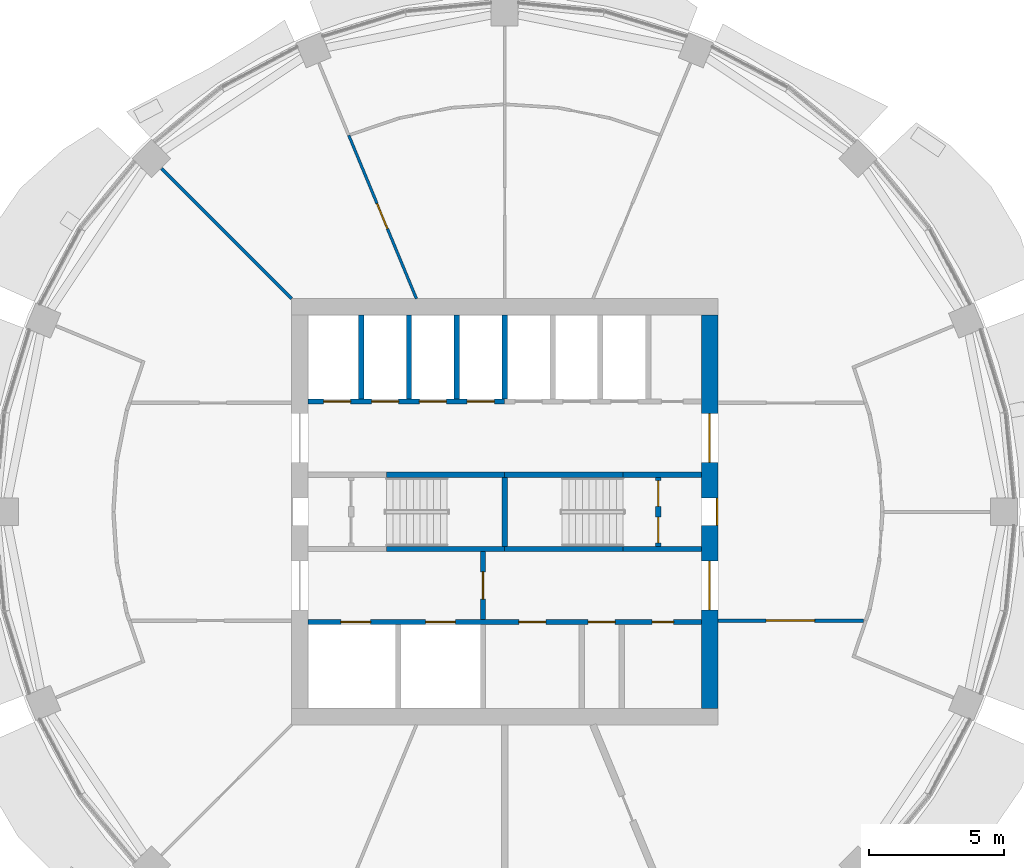
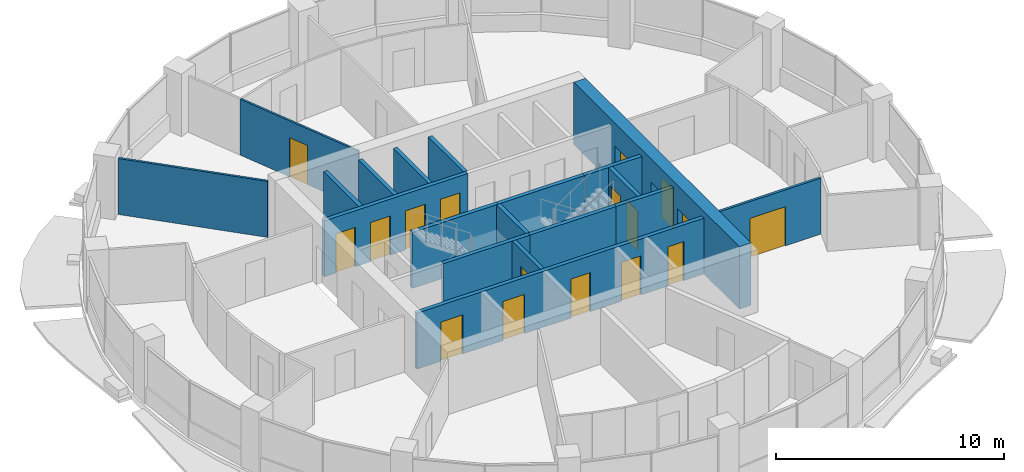
# One storey, part 9 of 15: 19 walls, 17 doors, 17 openings.
"""IFC4 building model written with IfcOpenShell, lengths in metres."""

from ifc_helpers import new_model, si_unit, direction, frame, frame_2d, origin, place, context, subcontext, project, spatial, rectangle, extrude, material, layer, layer_set, type_object, element, fill, save


model = new_model("IFC4")

# Units and contexts
model_context = context("Model", 3, precision=1e-05, world=origin(), true_north=direction((0.0, 1.0)))
body_context = subcontext(model_context, "Body", "Model", "MODEL_VIEW")
ifc_project = project(units=[si_unit("LENGTHUNIT", "METRE"), si_unit("AREAUNIT", "SQUARE_METRE"), si_unit("VOLUMEUNIT", "CUBIC_METRE"), si_unit("PLANEANGLEUNIT", "RADIAN"), si_unit("MASSUNIT", "GRAM", prefix="KILO")], contexts=[model_context])

# Site, building, storey
site_placement = place(None, origin())
site = spatial("IfcSite", under=ifc_project, at=site_placement, CompositionType="ELEMENT")
building_placement = place(site_placement, origin())
building = spatial("IfcBuilding", under=site, at=building_placement, Name="Polderwave Tower", CompositionType="ELEMENT")
storey_placement = place(building_placement, frame((0.0, 0.0, 127.64990234375)))
storey = spatial("IfcBuildingStorey", under=building, at=storey_placement, Name="L33", CompositionType="ELEMENT", Elevation=127.64990234375)

# Wall, openings, doors
ifc_material_1 = material(Name="Concrete C60/75", Category="concrete")
ifc_layer_1 = layer(ifc_material_1, 0.60009765625)
ifc_layer_set_1 = layer_set([ifc_layer_1], Name="CORE WALL 600 C60/75")
wall_type_1 = type_object("IfcWallType", Name="CORE WALL 600 C60/75", PredefinedType="SHEAR", material=ifc_layer_set_1)
wall_1_placement = place(storey_placement, frame((7.573974609375, -7.27392578125, 0.0), z_axis=(0.0, 0.0, 1.0), x_axis=(0.0, 1.0, 0.0)))
wall_1 = element("IfcWall", 1, at=wall_1_placement, inside=storey, type_object=wall_type_1, Name="ST-CORE-L33-E", PredefinedType="SHEAR", context=body_context, shape_type="SweptSolid", body=[
    extrude(rectangle(XDim=14.5478515625, YDim=0.60009765625, at=frame_2d((7.27392578125, 0.0))), origin(), (0.0, 0.0, 1.0), 3.35009765625),
])
opening_1_placement = place(wall_1_placement, frame((6.77392578125, 0.0, 0.0)))
opening_1 = element("IfcOpeningElement", 2, at=opening_1_placement, cuts=wall_1, Name="Opening L33-D22", PredefinedType="OPENING", context=body_context, shape_type="SweptSolid", body=[
    extrude(rectangle(XDim=1.0, YDim=2.10009765625, at=frame_2d((0.5, 1.050048828125))), frame((0.0, 0.31005859375, 0.0), z_axis=(0.0, -1.0, 0.0), x_axis=(1.0, 0.0, 0.0)), (0.0, 0.0, 1.0), 0.6201171875),
])
opening_2_placement = place(wall_1_placement, frame((3.6494140625, 0.0, 0.0)))
opening_2 = element("IfcOpeningElement", 3, at=opening_2_placement, cuts=wall_1, Name="Opening L33-D23", PredefinedType="OPENING", context=body_context, shape_type="SweptSolid", body=[
    extrude(rectangle(XDim=1.800048828125, YDim=2.10009765625, at=frame_2d((0.89990234375, 1.050048828125))), frame((0.0, 0.31005859375, 0.0), z_axis=(0.0, -1.0, 0.0), x_axis=(1.0, 0.0, 0.0)), (0.0, 0.0, 1.0), 0.6201171875),
])
opening_3_placement = place(wall_1_placement, frame((9.098388671875, 0.0, 0.0)))
opening_3 = element("IfcOpeningElement", 4, at=opening_3_placement, cuts=wall_1, Name="Opening L33-D24", PredefinedType="OPENING", context=body_context, shape_type="SweptSolid", body=[
    extrude(rectangle(XDim=1.800048828125, YDim=2.10009765625, at=frame_2d((0.89990234375, 1.050048828125))), frame((0.0, 0.31005859375, 0.0), z_axis=(0.0, -1.0, 0.0), x_axis=(1.0, 0.0, 0.0)), (0.0, 0.0, 1.0), 0.6201171875),
])
ifc_material_2 = material(Name="Steel fire door", Category="steel")
door_type_1 = type_object("IfcDoorType", Name="Lobby entry door pair 1800", OperationType="DOUBLE_DOOR_SINGLE_SWING", PredefinedType="DOOR", material=ifc_material_2)
door_1_placement = place(opening_2_placement, frame((1.800048828125, 0.0, 0.0), z_axis=(0.0, 0.0, 1.0), x_axis=(-1.0, 0.0, 0.0)))
door_1 = element("IfcDoor", 5, at=door_1_placement, inside=storey, type_object=door_type_1, Name="South lobby entry door", OperationType="DOUBLE_DOOR_SINGLE_SWING", OverallHeight=2.10009765625, OverallWidth=1.800048828125, PredefinedType="DOOR", context=body_context, shape_type="SweptSolid", body=[
    extrude(rectangle(XDim=1.800048828125, YDim=2.10009765625, at=frame_2d((0.89990234375, 1.050048828125))), frame((0.0, 0.02490234375, 0.0), z_axis=(0.0, -1.0, 0.0), x_axis=(1.0, 0.0, 0.0)), (0.0, 0.0, 1.0), 0.050048828125),
])
fill(opening_2, door_1)
door_2_placement = place(opening_3_placement, frame((1.800048828125, 0.0, 0.0), z_axis=(0.0, 0.0, 1.0), x_axis=(-1.0, 0.0, 0.0)))
door_2 = element("IfcDoor", 6, at=door_2_placement, inside=storey, type_object=door_type_1, Name="North lobby entry door", OperationType="DOUBLE_DOOR_SINGLE_SWING", OverallHeight=2.10009765625, OverallWidth=1.800048828125, PredefinedType="DOOR", context=body_context, shape_type="SweptSolid", body=[
    extrude(rectangle(XDim=1.800048828125, YDim=2.10009765625, at=frame_2d((0.89990234375, 1.050048828125))), frame((0.0, 0.02490234375, 0.0), z_axis=(0.0, -1.0, 0.0), x_axis=(1.0, 0.0, 0.0)), (0.0, 0.0, 1.0), 0.050048828125),
])
fill(opening_3, door_2)
door_type_2 = type_object("IfcDoorType", Name="Stair door 1000", OperationType="NOTDEFINED", PredefinedType="DOOR", material=ifc_material_2)
door_3_placement = place(opening_1_placement, frame((1.0, 0.0, 0.0), z_axis=(0.0, 0.0, 1.0), x_axis=(-1.0, 0.0, 0.0)))
door_3 = element("IfcDoor", 7, at=door_3_placement, inside=storey, type_object=door_type_2, Name="Stair B entry door", OperationType="SINGLE_SWING_LEFT", OverallHeight=2.10009765625, OverallWidth=1.0, PredefinedType="DOOR", context=body_context, shape_type="SweptSolid", body=[
    extrude(rectangle(XDim=1.0, YDim=2.10009765625, at=frame_2d((0.5, 1.050048828125))), frame((0.0, 0.2998046875, 0.0), z_axis=(0.0, -1.0, 0.0), x_axis=(1.0, 0.0, 0.0)), (0.0, 0.0, 1.0), 0.050048828125),
])
fill(opening_1, door_3)

# Wall, opening, door
ifc_material_3 = material(Name="Gypsum board partition")
ifc_layer_2 = layer(ifc_material_3, 0.199951171875)
ifc_layer_set_2 = layer_set([ifc_layer_2], Name="Core room partition 200")
wall_type_2 = type_object("IfcWallType", Name="Core room partition 200", PredefinedType="PARTITIONING", material=ifc_layer_set_2)
wall_2_placement = place(storey_placement, frame((-0.800048828125, -3.97412109375, 0.0), z_axis=(0.0, 0.0, 1.0), x_axis=(0.0, 1.0, 0.0)))
wall_2 = element("IfcWall", 8, at=wall_2_placement, inside=storey, type_object=wall_type_2, Name="L33 fire-fighting lobby wall", PredefinedType="PARTITIONING", context=body_context, shape_type="SweptSolid", body=[
    extrude(rectangle(XDim=2.4990234375, YDim=0.199951171875, at=frame_2d((1.24951171875, 0.0))), origin(), (0.0, 0.0, 1.0), 3.0),
])
opening_4_placement = place(wall_2_placement, frame((0.74951171875, 0.0, 0.0)))
opening_4 = element("IfcOpeningElement", 9, at=opening_4_placement, cuts=wall_2, Name="Opening L33-D14", PredefinedType="OPENING", context=body_context, shape_type="SweptSolid", body=[
    extrude(rectangle(XDim=1.0, YDim=2.10009765625, at=frame_2d((0.5, 1.050048828125))), frame((0.0, 0.10986328125, 0.0), z_axis=(0.0, -1.0, 0.0), x_axis=(1.0, 0.0, 0.0)), (0.0, 0.0, 1.0), 0.219970703125),
])
door_type_3 = type_object("IfcDoorType", Name="Lobby fire door 1000", OperationType="NOTDEFINED", PredefinedType="DOOR", material=ifc_material_2)
door_4_placement = place(opening_4_placement, frame((1.0, 0.0, 0.0), z_axis=(0.0, 0.0, 1.0), x_axis=(-1.0, 0.0, 0.0)))
door_4 = element("IfcDoor", 10, at=door_4_placement, inside=storey, type_object=door_type_3, Name="Fire-fighting lobby door", OperationType="SINGLE_SWING_LEFT", OverallHeight=2.10009765625, OverallWidth=1.0, PredefinedType="DOOR", context=body_context, shape_type="SweptSolid", body=[
    extrude(rectangle(XDim=1.0, YDim=2.10009765625, at=frame_2d((0.5, 1.050048828125))), frame((0.0, 0.02490234375, 0.0), z_axis=(0.0, -1.0, 0.0), x_axis=(1.0, 0.0, 0.0)), (0.0, 0.0, 1.0), 0.050048828125),
])
fill(opening_4, door_4)

# Wall, openings, doors
wall_3_placement = place(storey_placement, frame((5.674072265625, -1.27490234375, 0.0), z_axis=(0.0, 0.0, 1.0), x_axis=(0.0, 1.0, 0.0)))
wall_3 = element("IfcWall", 11, at=wall_3_placement, inside=storey, type_object=wall_type_2, Name="L33 smoke lobby wall B", PredefinedType="PARTITIONING", context=body_context, shape_type="SweptSolid", body=[
    extrude(rectangle(XDim=2.5498046875, YDim=0.199951171875, at=frame_2d((1.27490234375, 0.0))), origin(), (0.0, 0.0, 1.0), 3.0),
])
opening_5_placement = place(wall_3_placement, frame((0.125, 0.0, 0.0)))
opening_5 = element("IfcOpeningElement", 12, at=opening_5_placement, cuts=wall_3, Name="Opening L33-D12", PredefinedType="OPENING", context=body_context, shape_type="SweptSolid", body=[
    extrude(rectangle(XDim=0.949951171875, YDim=2.10009765625, at=frame_2d((0.47509765625, 1.050048828125))), frame((0.0, 0.10986328125, 0.0), z_axis=(0.0, -1.0, 0.0), x_axis=(1.0, 0.0, 0.0)), (0.0, 0.0, 1.0), 0.219970703125),
])
opening_6_placement = place(wall_3_placement, frame((1.47509765625, 0.0, 0.0)))
opening_6 = element("IfcOpeningElement", 13, at=opening_6_placement, cuts=wall_3, Name="Opening L33-D13", PredefinedType="OPENING", context=body_context, shape_type="SweptSolid", body=[
    extrude(rectangle(XDim=0.949951171875, YDim=2.10009765625, at=frame_2d((0.47509765625, 1.050048828125))), frame((0.0, 0.10986328125, 0.0), z_axis=(0.0, -1.0, 0.0), x_axis=(1.0, 0.0, 0.0)), (0.0, 0.0, 1.0), 0.219970703125),
])
door_type_4 = type_object("IfcDoorType", Name="Smoke lobby door 950", OperationType="NOTDEFINED", PredefinedType="DOOR", material=ifc_material_2)
door_5_placement = place(opening_5_placement, frame((0.949951171875, 0.0, 0.0), z_axis=(0.0, 0.0, 1.0), x_axis=(-1.0, 0.0, 0.0)))
door_5 = element("IfcDoor", 14, at=door_5_placement, inside=storey, type_object=door_type_4, Name="Stair B smoke lobby inner door", OperationType="SINGLE_SWING_RIGHT", OverallHeight=2.10009765625, OverallWidth=0.949951171875, PredefinedType="DOOR", context=body_context, shape_type="SweptSolid", body=[
    extrude(rectangle(XDim=0.949951171875, YDim=2.10009765625, at=frame_2d((0.47509765625, 1.050048828125))), frame((0.0, 0.02490234375, 0.0), z_axis=(0.0, -1.0, 0.0), x_axis=(1.0, 0.0, 0.0)), (0.0, 0.0, 1.0), 0.050048828125),
])
fill(opening_5, door_5)
door_6_placement = place(opening_6_placement, frame((0.949951171875, 0.0, 0.0), z_axis=(0.0, 0.0, 1.0), x_axis=(-1.0, 0.0, 0.0)))
door_6 = element("IfcDoor", 15, at=door_6_placement, inside=storey, type_object=door_type_4, Name="Stair B smoke lobby inner door", OperationType="SINGLE_SWING_LEFT", OverallHeight=2.10009765625, OverallWidth=0.949951171875, PredefinedType="DOOR", context=body_context, shape_type="SweptSolid", body=[
    extrude(rectangle(XDim=0.949951171875, YDim=2.10009765625, at=frame_2d((0.47509765625, 1.050048828125))), frame((0.0, 0.02490234375, 0.0), z_axis=(0.0, -1.0, 0.0), x_axis=(1.0, 0.0, 0.0)), (0.0, 0.0, 1.0), 0.050048828125),
])
fill(opening_6, door_6)

ifc_material_4 = material(Name="Concrete C50/60", Category="concrete")
ifc_layer_3 = layer(ifc_material_4, 0.199951171875)
ifc_layer_set_3 = layer_set([ifc_layer_3], Name="Core web wall 200")
wall_type_3 = type_object("IfcWallType", Name="Core web wall 200", PredefinedType="SHEAR", material=ifc_layer_set_3)
wall_4_placement = place(storey_placement, frame((-7.27392578125, -4.073974609375, 0.0), z_axis=(0.0, 0.0, 1.0), x_axis=(1.0, 0.0, 0.0)))
wall_4 = element("IfcWall", 16, at=wall_4_placement, inside=storey, type_object=wall_type_3, Name="L33 south front wall", PredefinedType="SHEAR", context=body_context, shape_type="SweptSolid", body=[
    extrude(rectangle(XDim=14.5478515625, YDim=0.199951171875, at=frame_2d((7.27392578125, 0.0))), origin(), (0.0, 0.0, 1.0), 3.0),
])
opening_7_placement = place(wall_4_placement, frame((1.218505859375, 0.0, 0.0)))
opening_7 = element("IfcOpeningElement", 17, at=opening_7_placement, cuts=wall_4, Name="Opening L33-D01", PredefinedType="OPENING", context=body_context, shape_type="SweptSolid", body=[
    extrude(rectangle(XDim=1.10009765625, YDim=2.10009765625, at=frame_2d((0.550048828125, 1.050048828125))), frame((0.0, 0.10986328125, 0.0), z_axis=(0.0, -1.0, 0.0), x_axis=(1.0, 0.0, 0.0)), (0.0, 0.0, 1.0), 0.219970703125),
])
opening_8_placement = place(wall_4_placement, frame((4.35546875, 0.0, 0.0)))
opening_8 = element("IfcOpeningElement", 18, at=opening_8_placement, cuts=wall_4, Name="Opening L33-D02", PredefinedType="OPENING", context=body_context, shape_type="SweptSolid", body=[
    extrude(rectangle(XDim=1.10009765625, YDim=2.10009765625, at=frame_2d((0.550048828125, 1.050048828125))), frame((0.0, 0.10986328125, 0.0), z_axis=(0.0, -1.0, 0.0), x_axis=(1.0, 0.0, 0.0)), (0.0, 0.0, 1.0), 0.219970703125),
])
opening_9_placement = place(wall_4_placement, frame((7.79541015625, 0.0, 0.0)))
opening_9 = element("IfcOpeningElement", 19, at=opening_9_placement, cuts=wall_4, Name="Opening L33-D15", PredefinedType="OPENING", context=body_context, shape_type="SweptSolid", body=[
    extrude(rectangle(XDim=1.0, YDim=2.10009765625, at=frame_2d((0.5, 1.050048828125))), frame((0.0, 0.10986328125, 0.0), z_axis=(0.0, -1.0, 0.0), x_axis=(1.0, 0.0, 0.0)), (0.0, 0.0, 1.0), 0.219970703125),
])
opening_10_placement = place(wall_4_placement, frame((10.356201171875, 0.0, 0.0)))
opening_10 = element("IfcOpeningElement", 20, at=opening_10_placement, cuts=wall_4, Name="Opening L33-D16", PredefinedType="OPENING", context=body_context, shape_type="SweptSolid", body=[
    extrude(rectangle(XDim=1.0, YDim=2.10009765625, at=frame_2d((0.5, 1.050048828125))), frame((0.0, 0.10986328125, 0.0), z_axis=(0.0, -1.0, 0.0), x_axis=(1.0, 0.0, 0.0)), (0.0, 0.0, 1.0), 0.219970703125),
])
opening_11_placement = place(wall_4_placement, frame((12.7216796875, 0.0, 0.0)))
opening_11 = element("IfcOpeningElement", 21, at=opening_11_placement, cuts=wall_4, Name="Opening L33-D17", PredefinedType="OPENING", context=body_context, shape_type="SweptSolid", body=[
    extrude(rectangle(XDim=0.800048828125, YDim=2.10009765625, at=frame_2d((0.39990234375, 1.050048828125))), frame((0.0, 0.10986328125, 0.0), z_axis=(0.0, -1.0, 0.0), x_axis=(1.0, 0.0, 0.0)), (0.0, 0.0, 1.0), 0.219970703125),
])
ifc_material_5 = material(Name="Stainless steel", Category="steel")
door_type_5 = type_object("IfcDoorType", Name="Fire-fighting lift landing door 1100", OperationType="DOUBLE_DOOR_SLIDING", PredefinedType="DOOR", material=ifc_material_5)
door_7_placement = place(opening_7_placement, origin())
door_7 = element("IfcDoor", 22, at=door_7_placement, inside=storey, type_object=door_type_5, Name="Fire-fighting lift FF1 landing door", OperationType="DOUBLE_DOOR_SLIDING", OverallHeight=2.10009765625, OverallWidth=1.10009765625, PredefinedType="DOOR", context=body_context, shape_type="SweptSolid", body=[
    extrude(rectangle(XDim=1.10009765625, YDim=2.10009765625, at=frame_2d((0.550048828125, 1.050048828125))), frame((0.0, 0.02490234375, 0.0), z_axis=(0.0, -1.0, 0.0), x_axis=(1.0, 0.0, 0.0)), (0.0, 0.0, 1.0), 0.050048828125),
])
fill(opening_7, door_7)
door_8_placement = place(opening_8_placement, origin())
door_8 = element("IfcDoor", 23, at=door_8_placement, inside=storey, type_object=door_type_5, Name="Fire-fighting lift FF2 landing door", OperationType="DOUBLE_DOOR_SLIDING", OverallHeight=2.10009765625, OverallWidth=1.10009765625, PredefinedType="DOOR", context=body_context, shape_type="SweptSolid", body=[
    extrude(rectangle(XDim=1.10009765625, YDim=2.10009765625, at=frame_2d((0.550048828125, 1.050048828125))), frame((0.0, 0.02490234375, 0.0), z_axis=(0.0, -1.0, 0.0), x_axis=(1.0, 0.0, 0.0)), (0.0, 0.0, 1.0), 0.050048828125),
])
fill(opening_8, door_8)
door_type_6 = type_object("IfcDoorType", Name="Riser door 800", OperationType="NOTDEFINED", PredefinedType="DOOR", material=ifc_material_2)
door_9_placement = place(opening_11_placement, origin())
door_9 = element("IfcDoor", 24, at=door_9_placement, inside=storey, type_object=door_type_6, Name="Communications room door", OperationType="SINGLE_SWING_RIGHT", OverallHeight=2.10009765625, OverallWidth=0.800048828125, PredefinedType="DOOR", context=body_context, shape_type="SweptSolid", body=[
    extrude(rectangle(XDim=0.800048828125, YDim=2.10009765625, at=frame_2d((0.39990234375, 1.050048828125))), frame((0.0, 0.02490234375, 0.0), z_axis=(0.0, -1.0, 0.0), x_axis=(1.0, 0.0, 0.0)), (0.0, 0.0, 1.0), 0.050048828125),
])
fill(opening_11, door_9)
ifc_material_6 = material(Name="Timber door leaf", Category="wood")
door_type_7 = type_object("IfcDoorType", Name="Room door 1000", OperationType="NOTDEFINED", PredefinedType="DOOR", material=ifc_material_6)
door_10_placement = place(opening_9_placement, frame((1.0, 0.0, 0.0), z_axis=(0.0, 0.0, 1.0), x_axis=(-1.0, 0.0, 0.0)))
door_10 = element("IfcDoor", 25, at=door_10_placement, inside=storey, type_object=door_type_7, Name="Pantry door", OperationType="SINGLE_SWING_LEFT", OverallHeight=2.10009765625, OverallWidth=1.0, PredefinedType="DOOR", context=body_context, shape_type="SweptSolid", body=[
    extrude(rectangle(XDim=1.0, YDim=2.10009765625, at=frame_2d((0.5, 1.050048828125))), frame((0.0, 0.02490234375, 0.0), z_axis=(0.0, -1.0, 0.0), x_axis=(1.0, 0.0, 0.0)), (0.0, 0.0, 1.0), 0.050048828125),
])
fill(opening_9, door_10)
door_11_placement = place(opening_10_placement, frame((1.0, 0.0, 0.0), z_axis=(0.0, 0.0, 1.0), x_axis=(-1.0, 0.0, 0.0)))
door_11 = element("IfcDoor", 26, at=door_11_placement, inside=storey, type_object=door_type_7, Name="Cleaner's store door", OperationType="SINGLE_SWING_LEFT", OverallHeight=2.10009765625, OverallWidth=1.0, PredefinedType="DOOR", context=body_context, shape_type="SweptSolid", body=[
    extrude(rectangle(XDim=1.0, YDim=2.10009765625, at=frame_2d((0.5, 1.050048828125))), frame((0.0, 0.02490234375, 0.0), z_axis=(0.0, -1.0, 0.0), x_axis=(1.0, 0.0, 0.0)), (0.0, 0.0, 1.0), 0.050048828125),
])
fill(opening_10, door_11)

wall_5_placement = place(storey_placement, frame((-7.27392578125, 4.073974609375, 0.0), z_axis=(0.0, 0.0, 1.0), x_axis=(1.0, 0.0, 0.0)))
wall_5 = element("IfcWall", 27, at=wall_5_placement, inside=storey, type_object=wall_type_3, Name="L33 north front wall 1", PredefinedType="SHEAR", context=body_context, shape_type="SweptSolid", body=[
    extrude(rectangle(XDim=7.27392578125, YDim=0.199951171875, at=frame_2d((3.636962890625, 0.0))), origin(), (0.0, 0.0, 1.0), 3.0),
])
opening_12_placement = place(wall_5_placement, frame((0.584228515625, 0.0, 0.0)))
opening_12 = element("IfcOpeningElement", 28, at=opening_12_placement, cuts=wall_5, Name="Opening L33-D03", PredefinedType="OPENING", context=body_context, shape_type="SweptSolid", body=[
    extrude(rectangle(XDim=1.0, YDim=2.10009765625, at=frame_2d((0.5, 1.050048828125))), frame((0.0, 0.10986328125, 0.0), z_axis=(0.0, -1.0, 0.0), x_axis=(1.0, 0.0, 0.0)), (0.0, 0.0, 1.0), 0.219970703125),
])
opening_13_placement = place(wall_5_placement, frame((2.352783203125, 0.0, 0.0)))
opening_13 = element("IfcOpeningElement", 29, at=opening_13_placement, cuts=wall_5, Name="Opening L33-D04", PredefinedType="OPENING", context=body_context, shape_type="SweptSolid", body=[
    extrude(rectangle(XDim=1.0, YDim=2.10009765625, at=frame_2d((0.5, 1.050048828125))), frame((0.0, 0.10986328125, 0.0), z_axis=(0.0, -1.0, 0.0), x_axis=(1.0, 0.0, 0.0)), (0.0, 0.0, 1.0), 0.219970703125),
])
opening_14_placement = place(wall_5_placement, frame((4.12109375, 0.0, 0.0)))
opening_14 = element("IfcOpeningElement", 30, at=opening_14_placement, cuts=wall_5, Name="Opening L33-D05", PredefinedType="OPENING", context=body_context, shape_type="SweptSolid", body=[
    extrude(rectangle(XDim=1.0, YDim=2.10009765625, at=frame_2d((0.5, 1.050048828125))), frame((0.0, 0.10986328125, 0.0), z_axis=(0.0, -1.0, 0.0), x_axis=(1.0, 0.0, 0.0)), (0.0, 0.0, 1.0), 0.219970703125),
])
opening_15_placement = place(wall_5_placement, frame((5.889892578125, 0.0, 0.0)))
opening_15 = element("IfcOpeningElement", 31, at=opening_15_placement, cuts=wall_5, Name="Opening L33-D06", PredefinedType="OPENING", context=body_context, shape_type="SweptSolid", body=[
    extrude(rectangle(XDim=1.0, YDim=2.10009765625, at=frame_2d((0.5, 1.050048828125))), frame((0.0, 0.10986328125, 0.0), z_axis=(0.0, -1.0, 0.0), x_axis=(1.0, 0.0, 0.0)), (0.0, 0.0, 1.0), 0.219970703125),
])
door_type_8 = type_object("IfcDoorType", Name="Lift landing door 1000", OperationType="DOUBLE_DOOR_SLIDING", PredefinedType="DOOR", material=ifc_material_5)
door_12_placement = place(opening_12_placement, frame((1.0, 0.0, 0.0), z_axis=(0.0, 0.0, 1.0), x_axis=(-1.0, 0.0, 0.0)))
door_12 = element("IfcDoor", 32, at=door_12_placement, inside=storey, type_object=door_type_8, Name="Lift HL1 landing door", OperationType="DOUBLE_DOOR_SLIDING", OverallHeight=2.10009765625, OverallWidth=1.0, PredefinedType="DOOR", context=body_context, shape_type="SweptSolid", body=[
    extrude(rectangle(XDim=1.0, YDim=2.10009765625, at=frame_2d((0.5, 1.050048828125))), frame((0.0, 0.02490234375, 0.0), z_axis=(0.0, -1.0, 0.0), x_axis=(1.0, 0.0, 0.0)), (0.0, 0.0, 1.0), 0.050048828125),
])
fill(opening_12, door_12)
door_13_placement = place(opening_13_placement, frame((1.0, 0.0, 0.0), z_axis=(0.0, 0.0, 1.0), x_axis=(-1.0, 0.0, 0.0)))
door_13 = element("IfcDoor", 33, at=door_13_placement, inside=storey, type_object=door_type_8, Name="Lift HL2 landing door", OperationType="DOUBLE_DOOR_SLIDING", OverallHeight=2.10009765625, OverallWidth=1.0, PredefinedType="DOOR", context=body_context, shape_type="SweptSolid", body=[
    extrude(rectangle(XDim=1.0, YDim=2.10009765625, at=frame_2d((0.5, 1.050048828125))), frame((0.0, 0.02490234375, 0.0), z_axis=(0.0, -1.0, 0.0), x_axis=(1.0, 0.0, 0.0)), (0.0, 0.0, 1.0), 0.050048828125),
])
fill(opening_13, door_13)
door_14_placement = place(opening_14_placement, frame((1.0, 0.0, 0.0), z_axis=(0.0, 0.0, 1.0), x_axis=(-1.0, 0.0, 0.0)))
door_14 = element("IfcDoor", 34, at=door_14_placement, inside=storey, type_object=door_type_8, Name="Lift HL3 landing door", OperationType="DOUBLE_DOOR_SLIDING", OverallHeight=2.10009765625, OverallWidth=1.0, PredefinedType="DOOR", context=body_context, shape_type="SweptSolid", body=[
    extrude(rectangle(XDim=1.0, YDim=2.10009765625, at=frame_2d((0.5, 1.050048828125))), frame((0.0, 0.02490234375, 0.0), z_axis=(0.0, -1.0, 0.0), x_axis=(1.0, 0.0, 0.0)), (0.0, 0.0, 1.0), 0.050048828125),
])
fill(opening_14, door_14)
door_15_placement = place(opening_15_placement, frame((1.0, 0.0, 0.0), z_axis=(0.0, 0.0, 1.0), x_axis=(-1.0, 0.0, 0.0)))
door_15 = element("IfcDoor", 35, at=door_15_placement, inside=storey, type_object=door_type_8, Name="Lift HL4 landing door", OperationType="DOUBLE_DOOR_SLIDING", OverallHeight=2.10009765625, OverallWidth=1.0, PredefinedType="DOOR", context=body_context, shape_type="SweptSolid", body=[
    extrude(rectangle(XDim=1.0, YDim=2.10009765625, at=frame_2d((0.5, 1.050048828125))), frame((0.0, 0.02490234375, 0.0), z_axis=(0.0, -1.0, 0.0), x_axis=(1.0, 0.0, 0.0)), (0.0, 0.0, 1.0), 0.050048828125),
])
fill(opening_15, door_15)

# Walls
for number, where, z_axis, x_axis, name in (
    (36, (-4.3740234375, -1.375, 0.0), (0.0, 0.0, 1.0), (1.0, 0.0, 0.0), "L33 south stair wall 2"),
    (37, (0.0, -1.375, 0.0), (0.0, 0.0, 1.0), (1.0, 0.0, 0.0), "L33 south stair wall 3"),
):
    element("IfcWall", number, at=place(storey_placement, frame(where, z_axis=z_axis, x_axis=x_axis)), inside=storey, type_object=wall_type_3, Name=name, PredefinedType="SHEAR", context=body_context, shape_type="SweptSolid", body=[
        extrude(rectangle(XDim=4.3740234375, YDim=0.199951171875, at=frame_2d((2.18701171875, 0.0))), origin(), (0.0, 0.0, 1.0), 3.0),
    ])
wall_6_placement = place(storey_placement, frame((4.3740234375, -1.375, 0.0), z_axis=(0.0, 0.0, 1.0), x_axis=(1.0, 0.0, 0.0)))
element("IfcWall", 38, at=wall_6_placement, inside=storey, type_object=wall_type_3, Name="L33 south stair wall 4", PredefinedType="SHEAR", context=body_context, shape_type="SweptSolid", body=[
    extrude(rectangle(XDim=2.89990234375, YDim=0.199951171875, at=frame_2d((1.449951171875, 0.0))), origin(), (0.0, 0.0, 1.0), 3.0),
])
for number, where, z_axis, x_axis, name in (
    (39, (-4.3740234375, 1.375, 0.0), (0.0, 0.0, 1.0), (1.0, 0.0, 0.0), "L33 north stair wall 2"),
    (40, (0.0, 1.375, 0.0), (0.0, 0.0, 1.0), (1.0, 0.0, 0.0), "L33 north stair wall 3"),
):
    element("IfcWall", number, at=place(storey_placement, frame(where, z_axis=z_axis, x_axis=x_axis)), inside=storey, type_object=wall_type_3, Name=name, PredefinedType="SHEAR", context=body_context, shape_type="SweptSolid", body=[
        extrude(rectangle(XDim=4.3740234375, YDim=0.199951171875, at=frame_2d((2.18701171875, 0.0))), origin(), (0.0, 0.0, 1.0), 3.0),
    ])
wall_7_placement = place(storey_placement, frame((4.3740234375, 1.375, 0.0), z_axis=(0.0, 0.0, 1.0), x_axis=(1.0, 0.0, 0.0)))
element("IfcWall", 41, at=wall_7_placement, inside=storey, type_object=wall_type_3, Name="L33 north stair wall 4", PredefinedType="SHEAR", context=body_context, shape_type="SweptSolid", body=[
    extrude(rectangle(XDim=2.89990234375, YDim=0.199951171875, at=frame_2d((1.449951171875, 0.0))), origin(), (0.0, 0.0, 1.0), 3.0),
])
wall_8_placement = place(storey_placement, frame((0.0, -1.27490234375, 0.0), z_axis=(0.0, 0.0, 1.0), x_axis=(0.0, 1.0, 0.0)))
element("IfcWall", 42, at=wall_8_placement, inside=storey, type_object=wall_type_3, Name="L33 wall between the stairs", PredefinedType="SHEAR", context=body_context, shape_type="SweptSolid", body=[
    extrude(rectangle(XDim=2.5498046875, YDim=0.199951171875, at=frame_2d((1.27490234375, 0.0))), origin(), (0.0, 0.0, 1.0), 3.0),
])

# Wall, opening, door
ifc_material_7 = material(Name="Fire-resisting board on steel studs", Category="steel")
ifc_layer_4 = layer(ifc_material_7, 0.125)
ifc_layer_set_4 = layer_set([ifc_layer_4], Name="Corridor wall 125 mm EI 60")
wall_type_4 = type_object("IfcWallType", Name="Corridor wall 125 mm EI 60", PredefinedType="PARTITIONING", material=ifc_layer_set_4)
wall_9_placement = place(storey_placement, frame((13.257568359375, -4.0244140625, 0.0), z_axis=(0.0, 0.0, 1.0), x_axis=(-1.0, 0.0, 0.0)))
wall_9 = element("IfcWall", 43, at=wall_9_placement, inside=storey, type_object=wall_type_4, Name="IN-L33-W005", PredefinedType="PARTITIONING", context=body_context, shape_type="SweptSolid", body=[
    extrude(rectangle(XDim=5.383544921875, YDim=0.125, at=frame_2d((2.69189453125, 0.0))), origin(), (0.0, 0.0, 1.0), 3.0),
])
opening_16_placement = place(wall_9_placement, frame((1.800048828125, 0.0, 0.0)))
opening_16 = element("IfcOpeningElement", 44, at=opening_16_placement, cuts=wall_9, Name="Opening L33-D52", PredefinedType="OPENING", context=body_context, shape_type="SweptSolid", body=[
    extrude(rectangle(XDim=1.800048828125, YDim=2.10009765625, at=frame_2d((0.89990234375, 1.050048828125))), frame((0.0, 0.072509765625, 0.0), z_axis=(0.0, -1.0, 0.0), x_axis=(1.0, 0.0, 0.0)), (0.0, 0.0, 1.0), 0.14501953125),
])
ifc_material_8 = material(Name="Timber fire door leaves", Category="wood")
door_type_9 = type_object("IfcDoorType", Name="Double fire door FD30S 1800 x 2100", OperationType="NOTDEFINED", PredefinedType="DOOR", material=ifc_material_8)
door_16_placement = place(opening_16_placement, origin())
door_16 = element("IfcDoor", 45, at=door_16_placement, inside=storey, type_object=door_type_9, Name="Door L33-D52", OperationType="DOUBLE_DOOR_SINGLE_SWING", OverallHeight=2.10009765625, OverallWidth=1.800048828125, PredefinedType="DOOR", context=body_context, shape_type="SweptSolid", body=[
    extrude(rectangle(XDim=1.800048828125, YDim=2.10009765625, at=frame_2d((0.89990234375, 1.050048828125))), frame((0.0, 0.02490234375, 0.0), z_axis=(0.0, -1.0, 0.0), x_axis=(1.0, 0.0, 0.0)), (0.0, 0.0, 1.0), 0.050048828125),
])
fill(opening_16, door_16)

ifc_material_9 = material(Name="Plasterboard on steel studs", Category="steel")
ifc_layer_5 = layer(ifc_material_9, 0.10009765625)
ifc_layer_set_5 = layer_set([ifc_layer_5], Name="Partition 100 mm plasterboard on steel studs")
wall_type_5 = type_object("IfcWallType", Name="Partition 100 mm plasterboard on steel studs", PredefinedType="PARTITIONING", material=ifc_layer_set_5)
wall_10_placement = place(storey_placement, frame((-3.261474609375, 7.8740234375, 0.0), z_axis=(0.0, 0.0, 1.0), x_axis=(-0.382689326263, 0.923877091157, 0.0)))
wall_10 = element("IfcWall", 46, at=wall_10_placement, inside=storey, type_object=wall_type_5, Name="IN-L33-W030", PredefinedType="PARTITIONING", context=body_context, shape_type="SweptSolid", body=[
    extrude(rectangle(XDim=6.537109375, YDim=0.10009765625, at=frame_2d((3.2685546875, 0.0))), origin(), (0.0, 0.0, 1.0), 3.0),
])
opening_17_placement = place(wall_10_placement, frame((2.800048828125, 0.0, 0.0)))
opening_17 = element("IfcOpeningElement", 47, at=opening_17_placement, cuts=wall_10, Name="Opening L33-D61", PredefinedType="OPENING", context=body_context, shape_type="SweptSolid", body=[
    extrude(rectangle(XDim=1.0, YDim=2.10009765625, at=frame_2d((0.5, 1.050048828125))), frame((0.0, 0.06005859375, 0.0), z_axis=(0.0, -1.0, 0.0), x_axis=(1.0, 0.0, 0.0)), (0.0, 0.0, 1.0), 0.1201171875),
])
ifc_material_10 = material(Name="Timber veneer door leaf", Category="wood")
door_type_10 = type_object("IfcDoorType", Name="Single door 1000 x 2100", OperationType="NOTDEFINED", PredefinedType="DOOR", material=ifc_material_10)
door_17_placement = place(opening_17_placement, origin())
door_17 = element("IfcDoor", 48, at=door_17_placement, inside=storey, type_object=door_type_10, Name="Door L33-D61", OperationType="SINGLE_SWING_RIGHT", OverallHeight=2.10009765625, OverallWidth=1.0, PredefinedType="DOOR", context=body_context, shape_type="SweptSolid", body=[
    extrude(rectangle(XDim=1.0, YDim=2.10009765625, at=frame_2d((0.5, 1.050048828125))), frame((0.0, 0.02490234375, 0.0), z_axis=(0.0, -1.0, 0.0), x_axis=(1.0, 0.0, 0.0)), (0.0, 0.0, 1.0), 0.050048828125),
])
fill(opening_17, door_17)

# Walls
ifc_material_11 = material(Name="Acoustic double plasterboard on steel studs", Category="steel")
ifc_layer_6 = layer(ifc_material_11, 0.110107421875)
ifc_layer_set_6 = layer_set([ifc_layer_6], Name="Partition 110 mm acoustic double board")
wall_type_6 = type_object("IfcWallType", Name="Partition 110 mm acoustic double board", PredefinedType="PARTITIONING", material=ifc_layer_set_6)
wall_11_placement = place(storey_placement, frame((-7.8740234375, 7.8740234375, 0.0), z_axis=(0.0, 0.0, 1.0), x_axis=(-0.707106781187, 0.707106781187, 0.0)))
element("IfcWall", 49, at=wall_11_placement, inside=storey, type_object=wall_type_6, Name="IN-L33-W032", PredefinedType="PARTITIONING", context=body_context, shape_type="SweptSolid", body=[
    extrude(rectangle(XDim=6.79443359375, YDim=0.110107421875, at=frame_2d((3.397216796875, 0.0))), origin(), (0.0, 0.0, 1.0), 3.0),
])
ifc_material_12 = material(Name="Gypsum shaft wall system")
ifc_layer_7 = layer(ifc_material_12, 0.199951171875)
ifc_layer_set_7 = layer_set([ifc_layer_7], Name="Shaft wall 200")
wall_type_7 = type_object("IfcWallType", Name="Shaft wall 200", PredefinedType="PARTITIONING", material=ifc_layer_set_7)
for number, where, z_axis, x_axis, name in (
    (50, (-5.305419921875, 4.174072265625, 0.0), (0.0, 0.0, 1.0), (0.0, 1.0, 0.0), "L33 lift shaft wall N1"),
    (51, (-3.537109375, 4.174072265625, 0.0), (0.0, 0.0, 1.0), (0.0, 1.0, 0.0), "L33 lift shaft wall N2"),
    (52, (-1.7685546875, 4.174072265625, 0.0), (0.0, 0.0, 1.0), (0.0, 1.0, 0.0), "L33 lift shaft wall N3"),
    (53, (0.0, 4.174072265625, 0.0), (0.0, 0.0, 1.0), (0.0, 1.0, 0.0), "L33 lift shaft wall N4"),
):
    element("IfcWall", number, at=place(storey_placement, frame(where, z_axis=z_axis, x_axis=x_axis)), inside=storey, type_object=wall_type_7, Name=name, PredefinedType="PARTITIONING", context=body_context, shape_type="SweptSolid", body=[
        extrude(rectangle(XDim=3.099853515625, YDim=0.199951171875, at=frame_2d((1.5498046875, 0.0))), origin(), (0.0, 0.0, 1.0), 3.0),
    ])

save(model, "model.ifc")
